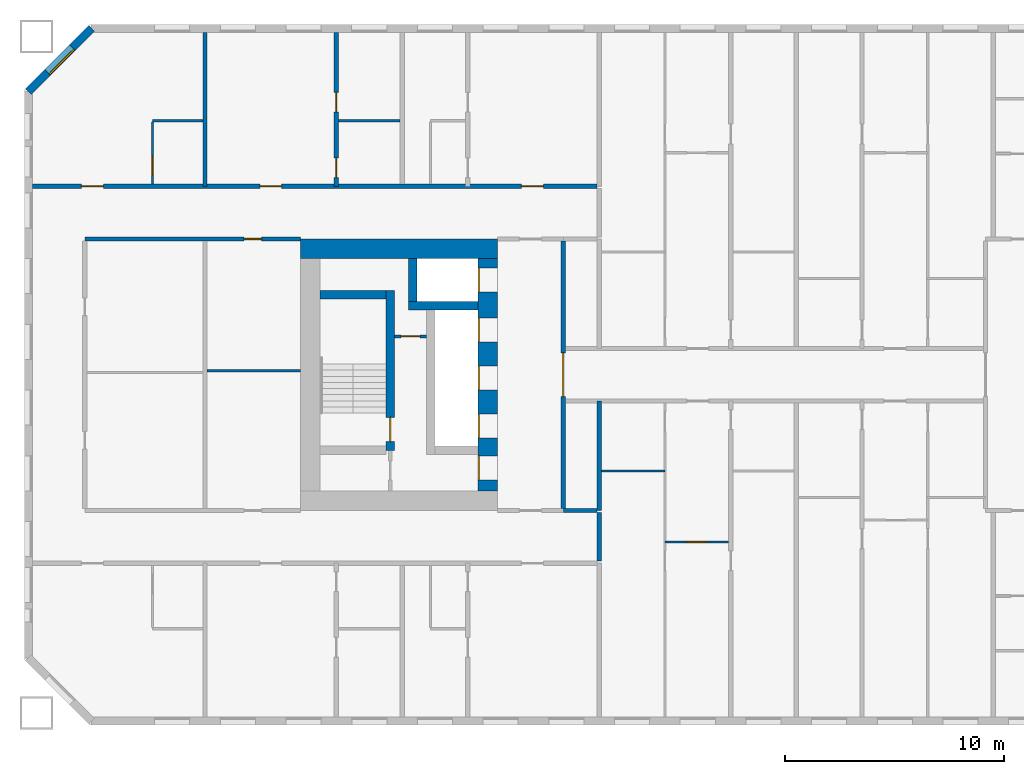
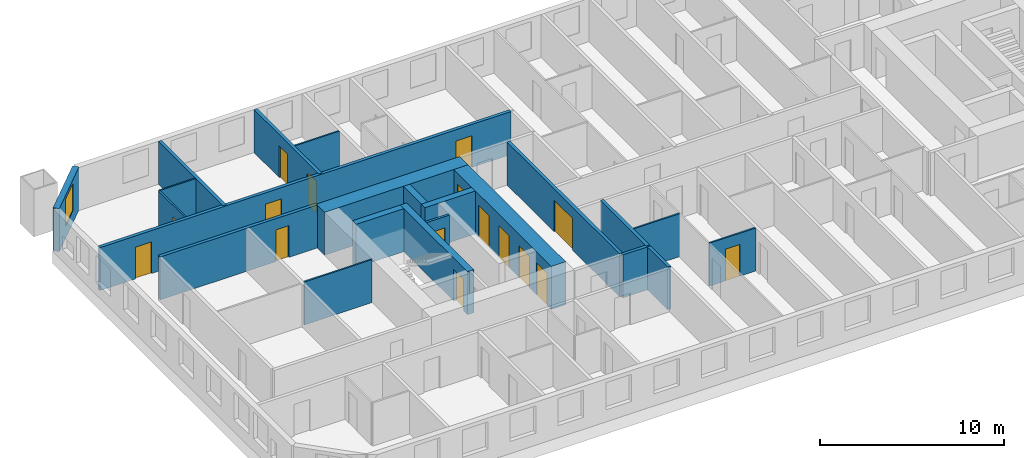
# One storey, part 4 of 16: 22 walls, 16 doors, 1 window, 17 openings.
"""IFC4 building model written with IfcOpenShell, lengths in metres."""

from ifc_helpers import new_model, si_unit, direction, frame, frame_2d, origin, place, context, subcontext, project, spatial, rectangle, extrude, material, layer, layer_set, type_object, element, fill, save


model = new_model("IFC4")

# Units and contexts
model_context = context("Model", 3, precision=1e-05, world=origin(), true_north=direction((0.0, 1.0)))
body_context = subcontext(model_context, "Body", "Model", "MODEL_VIEW")
ifc_project = project(units=[si_unit("LENGTHUNIT", "METRE"), si_unit("AREAUNIT", "SQUARE_METRE"), si_unit("VOLUMEUNIT", "CUBIC_METRE"), si_unit("PLANEANGLEUNIT", "RADIAN"), si_unit("MASSUNIT", "GRAM", prefix="KILO")], contexts=[model_context])

# Site, building, storey
site_placement = place(None, origin())
site = spatial("IfcSite", under=ifc_project, at=site_placement, CompositionType="ELEMENT")
building_placement = place(site_placement, origin())
building = spatial("IfcBuilding", under=site, at=building_placement, Name="Tuart Gate Housing", CompositionType="ELEMENT")
storey_placement = place(building_placement, frame((0.0, 0.0, 19.5)))
storey = spatial("IfcBuildingStorey", under=building, at=storey_placement, Name="L04", CompositionType="ELEMENT", Elevation=19.5)

# Wall, opening, window
ifc_material_1 = material(Name="Brick", Category="masonry")
ifc_layer_1 = layer(ifc_material_1, 0.360107421875)
ifc_layer_set_1 = layer_set([ifc_layer_1], Name="Brick pier and spandrel wall 360")
wall_type_1 = type_object("IfcWallType", Name="Brick pier and spandrel wall 360", PredefinedType="STANDARD", material=ifc_layer_set_1)
wall_1_placement = place(storey_placement, frame((22.82470703125, 85.820068359375, 0.0), z_axis=(0.0, 0.0, 1.0), x_axis=(-0.707106781187, -0.707106781187, 0.0)))
wall_1 = element("IfcWall", 1, at=wall_1_placement, inside=storey, type_object=wall_type_1, Name="External wall A-NW L04", PredefinedType="STANDARD", context=body_context, shape_type="SweptSolid", body=[
    extrude(rectangle(XDim=4.09375, YDim=0.360107421875, at=frame_2d((2.046875, 0.0))), origin(), (0.0, 0.0, 1.0), 2.85009765625),
])
opening_1_placement = place(wall_1_placement, frame((1.2470703125, 0.0, 0.800048828125)))
opening_1 = element("IfcOpeningElement", 2, at=opening_1_placement, cuts=wall_1, Name="Opening W1", PredefinedType="OPENING", context=body_context, shape_type="SweptSolid", body=[
    extrude(rectangle(XDim=1.60009765625, YDim=1.800048828125, at=frame_2d((0.800048828125, 0.89990234375))), frame((0.0, 0.18994140625, 0.0), z_axis=(0.0, -1.0, 0.0), x_axis=(1.0, 0.0, 0.0)), (0.0, 0.0, 1.0), 0.380126953125),
])
ifc_material_2 = material(Name="Aluminium frame with clear glass", Category="aluminium")
window_type = type_object("IfcWindowType", Name="Punched window 1600 x 1800", PartitioningType="SINGLE_PANEL", PredefinedType="WINDOW", material=ifc_material_2)
window_placement = place(opening_1_placement, origin())
window = element("IfcWindow", 3, at=window_placement, inside=storey, type_object=window_type, Name="Window W1", OverallHeight=1.800048828125, OverallWidth=1.60009765625, PartitioningType="SINGLE_PANEL", PredefinedType="WINDOW", context=body_context, shape_type="SweptSolid", body=[
    extrude(rectangle(XDim=1.60009765625, YDim=1.800048828125, at=frame_2d((0.800048828125, 0.89990234375))), frame((0.0, 0.150146484375, 0.0), z_axis=(0.0, -1.0, 0.0), x_axis=(1.0, 0.0, 0.0)), (0.0, 0.0, 1.0), 0.06005859375),
])
fill(opening_1, window)

# Wall, opening, door
ifc_material_3 = material(Name="Plasterboard partition")
ifc_layer_2 = layer(ifc_material_3, 0.14990234375)
ifc_layer_set_2 = layer_set([ifc_layer_2], Name="Core partition 150")
wall_type_2 = type_object("IfcWallType", Name="Core partition 150", PredefinedType="PARTITIONING", material=ifc_layer_set_2)
wall_2_placement = place(storey_placement, frame((38.110107421875, 71.75, 0.0), z_axis=(0.0, 0.0, 1.0), x_axis=(-1.0, 0.0, 0.0)))
wall_2 = element("IfcWall", 4, at=wall_2_placement, inside=storey, type_object=wall_type_2, Name="Core partition AK.3", PredefinedType="PARTITIONING", context=body_context, shape_type="SweptSolid", body=[
    extrude(rectangle(XDim=1.4501953125, YDim=0.14990234375, at=frame_2d((0.72509765625, 0.0))), origin(), (0.0, 0.0, 1.0), 2.85009765625),
])
opening_2_placement = place(wall_2_placement, frame((0.300048828125, 0.0, 0.0)))
opening_2 = element("IfcOpeningElement", 5, at=opening_2_placement, cuts=wall_2, Name="Opening D369", PredefinedType="OPENING", context=body_context, shape_type="SweptSolid", body=[
    extrude(rectangle(XDim=0.85009765625, YDim=2.10009765625, at=frame_2d((0.425048828125, 1.050048828125))), frame((0.0, 0.0849609375, 0.0), z_axis=(0.0, -1.0, 0.0), x_axis=(1.0, 0.0, 0.0)), (0.0, 0.0, 1.0), 0.169921875),
])
ifc_material_4 = material(Name="Steel fire door", Category="steel")
door_type_1 = type_object("IfcDoorType", Name="Riser door 850 x 2100 RH", OperationType="SINGLE_SWING_RIGHT", PredefinedType="DOOR", material=ifc_material_4)
door_1_placement = place(opening_2_placement, frame((0.85009765625, 0.0, 0.0), z_axis=(0.0, 0.0, 1.0), x_axis=(-1.0, 0.0, 0.0)))
door_1 = element("IfcDoor", 6, at=door_1_placement, inside=storey, type_object=door_type_1, Name="Service room door AK.E1", OperationType="SINGLE_SWING_RIGHT", OverallHeight=2.10009765625, OverallWidth=0.85009765625, PredefinedType="DOOR", context=body_context, shape_type="SweptSolid", body=[
    extrude(rectangle(XDim=0.85009765625, YDim=2.10009765625, at=frame_2d((0.425048828125, 1.050048828125))), frame((0.0, 0.025146484375, 0.0), z_axis=(0.0, -1.0, 0.0), x_axis=(1.0, 0.0, 0.0)), (0.0, 0.0, 1.0), 0.050048828125),
])
fill(opening_2, door_1)

# Walls
ifc_material_5 = material(Name="Concrete C60", Category="concrete")
ifc_layer_3 = layer(ifc_material_5, 0.39990234375)
ifc_layer_set_3 = layer_set([ifc_layer_3], Name="Core wall 400 C60")
wall_type_3 = type_object("IfcWallType", Name="Core wall 400 C60", PredefinedType="SHEAR", material=ifc_layer_set_3)
wall_3_placement = place(storey_placement, frame((36.260009765625, 73.64990234375, 0.0), z_axis=(0.0, 0.0, 1.0), x_axis=(-1.0, 0.0, 0.0)))
element("IfcWall", 7, at=wall_3_placement, inside=storey, type_object=wall_type_3, Name="Core wall AK.1", PredefinedType="SHEAR", context=body_context, shape_type="SweptSolid", body=[
    extrude(rectangle(XDim=3.0, YDim=0.39990234375, at=frame_2d((1.5, 0.0))), origin(), (0.0, 0.0, 1.0), 2.85009765625),
])
wall_4_placement = place(storey_placement, frame((40.4599609375, 73.14990234375, 0.0), z_axis=(0.0, 0.0, 1.0), x_axis=(-1.0, 0.0, 0.0)))
element("IfcWall", 8, at=wall_4_placement, inside=storey, type_object=wall_type_3, Name="Core wall AK.2", PredefinedType="SHEAR", context=body_context, shape_type="SweptSolid", body=[
    extrude(rectangle(XDim=3.169921875, YDim=0.39990234375, at=frame_2d((1.5849609375, 0.0))), origin(), (0.0, 0.0, 1.0), 2.85009765625),
])
wall_5_placement = place(storey_placement, frame((37.489990234375, 75.300048828125, 0.0), z_axis=(0.0, 0.0, 1.0), x_axis=(0.0, -1.0, 0.0)))
element("IfcWall", 9, at=wall_5_placement, inside=storey, type_object=wall_type_3, Name="Core wall AK.7", PredefinedType="SHEAR", context=body_context, shape_type="SweptSolid", body=[
    extrude(rectangle(XDim=1.949951171875, YDim=0.39990234375, at=frame_2d((0.97509765625, 0.0))), origin(), (0.0, 0.0, 1.0), 2.85009765625),
])

# Wall, opening, door
wall_6_placement = place(storey_placement, frame((36.4599609375, 73.85009765625, 0.0), z_axis=(0.0, 0.0, 1.0), x_axis=(0.0, -1.0, 0.0)))
wall_6 = element("IfcWall", 10, at=wall_6_placement, inside=storey, type_object=wall_type_3, Name="Core wall AK.8", PredefinedType="SHEAR", context=body_context, shape_type="SweptSolid", body=[
    extrude(rectangle(XDim=7.300048828125, YDim=0.39990234375, at=frame_2d((3.64990234375, 0.0))), origin(), (0.0, 0.0, 1.0), 2.85009765625),
])
opening_3_placement = place(wall_6_placement, frame((5.800048828125, 0.0, 0.0)))
opening_3 = element("IfcOpeningElement", 11, at=opening_3_placement, cuts=wall_6, Name="Opening D372", PredefinedType="OPENING", context=body_context, shape_type="SweptSolid", body=[
    extrude(rectangle(XDim=1.10009765625, YDim=2.10009765625, at=frame_2d((0.550048828125, 1.050048828125))), frame((0.0, 0.2099609375, 0.0), z_axis=(0.0, -1.0, 0.0), x_axis=(1.0, 0.0, 0.0)), (0.0, 0.0, 1.0), 0.419921875),
])
ifc_material_6 = material(Name="Steel fire door", Category="steel")
door_type_2 = type_object("IfcDoorType", Name="Stair door 1100 x 2100", OperationType="SINGLE_SWING_LEFT", PredefinedType="DOOR", material=ifc_material_6)
door_2_placement = place(opening_3_placement, frame((1.10009765625, 0.0, 0.0), z_axis=(0.0, 0.0, 1.0), x_axis=(-1.0, 0.0, 0.0)))
door_2 = element("IfcDoor", 12, at=door_2_placement, inside=storey, type_object=door_type_2, Name="Stair door AK.SD", OperationType="SINGLE_SWING_LEFT", OverallHeight=2.10009765625, OverallWidth=1.10009765625, PredefinedType="DOOR", context=body_context, shape_type="SweptSolid", body=[
    extrude(rectangle(XDim=1.10009765625, YDim=2.10009765625, at=frame_2d((0.550048828125, 1.050048828125))), frame((0.0, 0.025146484375, 0.0), z_axis=(0.0, -1.0, 0.0), x_axis=(1.0, 0.0, 0.0)), (0.0, 0.0, 1.0), 0.050048828125),
])
fill(opening_3, door_2)

# Wall, openings, doors
ifc_material_7 = material(Name="Concrete C60", Category="concrete")
ifc_layer_4 = layer(ifc_material_7, 0.89990234375)
ifc_layer_set_4 = layer_set([ifc_layer_4], Name="Core wall 900 C60")
wall_type_4 = type_object("IfcWallType", Name="Core wall 900 C60", PredefinedType="SHEAR", material=ifc_layer_set_4)
wall_7_placement = place(storey_placement, frame((40.909912109375, 75.300048828125, 0.0), z_axis=(0.0, 0.0, 1.0), x_axis=(0.0, -1.0, 0.0)))
wall_7 = element("IfcWall", 13, at=wall_7_placement, inside=storey, type_object=wall_type_4, Name="Core wall AK front", PredefinedType="SHEAR", context=body_context, shape_type="SweptSolid", body=[
    extrude(rectangle(XDim=10.60009765625, YDim=0.89990234375, at=frame_2d((5.300048828125, 0.0))), origin(), (0.0, 0.0, 1.0), 2.85009765625),
])
opening_4_placement = place(wall_7_placement, frame((0.425048828125, 0.0, 0.0)))
opening_4 = element("IfcOpeningElement", 14, at=opening_4_placement, cuts=wall_7, Name="Opening LD-FA2", PredefinedType="OPENING", context=body_context, shape_type="SweptSolid", body=[
    extrude(rectangle(XDim=1.10009765625, YDim=2.10009765625, at=frame_2d((0.550048828125, 1.050048828125))), frame((0.0, 0.4599609375, 0.0), z_axis=(0.0, -1.0, 0.0), x_axis=(1.0, 0.0, 0.0)), (0.0, 0.0, 1.0), 0.919921875),
])
opening_5_placement = place(wall_7_placement, frame((2.699951171875, 0.0, 0.0)))
opening_5 = element("IfcOpeningElement", 15, at=opening_5_placement, cuts=wall_7, Name="Opening LD-LA4", PredefinedType="OPENING", context=body_context, shape_type="SweptSolid", body=[
    extrude(rectangle(XDim=1.10009765625, YDim=2.10009765625, at=frame_2d((0.550048828125, 1.050048828125))), frame((0.0, 0.4599609375, 0.0), z_axis=(0.0, -1.0, 0.0), x_axis=(1.0, 0.0, 0.0)), (0.0, 0.0, 1.0), 0.919921875),
])
opening_6_placement = place(wall_7_placement, frame((4.89990234375, 0.0, 0.0)))
opening_6 = element("IfcOpeningElement", 16, at=opening_6_placement, cuts=wall_7, Name="Opening LD-LA5", PredefinedType="OPENING", context=body_context, shape_type="SweptSolid", body=[
    extrude(rectangle(XDim=1.10009765625, YDim=2.10009765625, at=frame_2d((0.550048828125, 1.050048828125))), frame((0.0, 0.4599609375, 0.0), z_axis=(0.0, -1.0, 0.0), x_axis=(1.0, 0.0, 0.0)), (0.0, 0.0, 1.0), 0.919921875),
])
opening_7_placement = place(wall_7_placement, frame((7.10009765625, 0.0, 0.0)))
opening_7 = element("IfcOpeningElement", 17, at=opening_7_placement, cuts=wall_7, Name="Opening LD-LA6", PredefinedType="OPENING", context=body_context, shape_type="SweptSolid", body=[
    extrude(rectangle(XDim=1.10009765625, YDim=2.10009765625, at=frame_2d((0.550048828125, 1.050048828125))), frame((0.0, 0.4599609375, 0.0), z_axis=(0.0, -1.0, 0.0), x_axis=(1.0, 0.0, 0.0)), (0.0, 0.0, 1.0), 0.919921875),
])
opening_8_placement = place(wall_7_placement, frame((9.0, 0.0, 0.0)))
opening_8 = element("IfcOpeningElement", 18, at=opening_8_placement, cuts=wall_7, Name="Opening D375", PredefinedType="OPENING", context=body_context, shape_type="SweptSolid", body=[
    extrude(rectangle(XDim=1.10009765625, YDim=2.10009765625, at=frame_2d((0.550048828125, 1.050048828125))), frame((0.0, 0.4599609375, 0.0), z_axis=(0.0, -1.0, 0.0), x_axis=(1.0, 0.0, 0.0)), (0.0, 0.0, 1.0), 0.919921875),
])
ifc_material_8 = material(Name="Stainless steel", Category="steel")
door_type_3 = type_object("IfcDoorType", Name="Landing door 1100 x 2100", OperationType="DOUBLE_DOOR_SLIDING", PredefinedType="DOOR", material=ifc_material_8)
door_3_placement = place(opening_4_placement, origin())
door_3 = element("IfcDoor", 19, at=door_3_placement, inside=storey, type_object=door_type_3, Name="Lift landing door FA2", OperationType="DOUBLE_DOOR_SLIDING", OverallHeight=2.10009765625, OverallWidth=1.10009765625, PredefinedType="DOOR", context=body_context, shape_type="SweptSolid", body=[
    extrude(rectangle(XDim=1.10009765625, YDim=2.10009765625, at=frame_2d((0.550048828125, 1.050048828125))), frame((0.0, -0.384765625, 0.0), z_axis=(0.0, -1.0, 0.0), x_axis=(1.0, 0.0, 0.0)), (0.0, 0.0, 1.0), 0.050048828125),
])
fill(opening_4, door_3)
door_4_placement = place(opening_5_placement, origin())
door_4 = element("IfcDoor", 20, at=door_4_placement, inside=storey, type_object=door_type_3, Name="Lift landing door LA4", OperationType="DOUBLE_DOOR_SLIDING", OverallHeight=2.10009765625, OverallWidth=1.10009765625, PredefinedType="DOOR", context=body_context, shape_type="SweptSolid", body=[
    extrude(rectangle(XDim=1.10009765625, YDim=2.10009765625, at=frame_2d((0.550048828125, 1.050048828125))), frame((0.0, -0.384765625, 0.0), z_axis=(0.0, -1.0, 0.0), x_axis=(1.0, 0.0, 0.0)), (0.0, 0.0, 1.0), 0.050048828125),
])
fill(opening_5, door_4)
door_5_placement = place(opening_6_placement, origin())
door_5 = element("IfcDoor", 21, at=door_5_placement, inside=storey, type_object=door_type_3, Name="Lift landing door LA5", OperationType="DOUBLE_DOOR_SLIDING", OverallHeight=2.10009765625, OverallWidth=1.10009765625, PredefinedType="DOOR", context=body_context, shape_type="SweptSolid", body=[
    extrude(rectangle(XDim=1.10009765625, YDim=2.10009765625, at=frame_2d((0.550048828125, 1.050048828125))), frame((0.0, -0.384765625, 0.0), z_axis=(0.0, -1.0, 0.0), x_axis=(1.0, 0.0, 0.0)), (0.0, 0.0, 1.0), 0.050048828125),
])
fill(opening_6, door_5)
door_6_placement = place(opening_7_placement, origin())
door_6 = element("IfcDoor", 22, at=door_6_placement, inside=storey, type_object=door_type_3, Name="Lift landing door LA6", OperationType="DOUBLE_DOOR_SLIDING", OverallHeight=2.10009765625, OverallWidth=1.10009765625, PredefinedType="DOOR", context=body_context, shape_type="SweptSolid", body=[
    extrude(rectangle(XDim=1.10009765625, YDim=2.10009765625, at=frame_2d((0.550048828125, 1.050048828125))), frame((0.0, -0.384765625, 0.0), z_axis=(0.0, -1.0, 0.0), x_axis=(1.0, 0.0, 0.0)), (0.0, 0.0, 1.0), 0.050048828125),
])
fill(opening_7, door_6)
ifc_material_9 = material(Name="Steel fire door", Category="steel")
door_type_4 = type_object("IfcDoorType", Name="Lobby door 1100 x 2100 RH", OperationType="SINGLE_SWING_RIGHT", PredefinedType="DOOR", material=ifc_material_9)
door_7_placement = place(opening_8_placement, frame((1.10009765625, 0.0, 0.0), z_axis=(0.0, 0.0, 1.0), x_axis=(-1.0, 0.0, 0.0)))
door_7 = element("IfcDoor", 23, at=door_7_placement, inside=storey, type_object=door_type_4, Name="Lobby entry door AK.EN", OperationType="SINGLE_SWING_RIGHT", OverallHeight=2.10009765625, OverallWidth=1.10009765625, PredefinedType="DOOR", context=body_context, shape_type="SweptSolid", body=[
    extrude(rectangle(XDim=1.10009765625, YDim=2.10009765625, at=frame_2d((0.550048828125, 1.050048828125))), frame((0.0, 0.434814453125, 0.0), z_axis=(0.0, -1.0, 0.0), x_axis=(1.0, 0.0, 0.0)), (0.0, 0.0, 1.0), 0.050048828125),
])
fill(opening_8, door_7)

# Walls
wall_8_placement = place(storey_placement, frame((41.360107421875, 75.75, 0.0), z_axis=(0.0, 0.0, 1.0), x_axis=(-1.0, 0.0, 0.0)))
element("IfcWall", 24, at=wall_8_placement, inside=storey, type_object=wall_type_4, Name="Core wall AK south", PredefinedType="SHEAR", context=body_context, shape_type="SweptSolid", body=[
    extrude(rectangle(XDim=9.0, YDim=0.89990234375, at=frame_2d((4.5, 0.0))), origin(), (0.0, 0.0, 1.0), 2.85009765625),
])
ifc_material_10 = material(Name="Concrete masonry 15 MPa", Category="masonry")
ifc_layer_5 = layer(ifc_material_10, 0.199951171875)
ifc_layer_set_5 = layer_set([ifc_layer_5], Name="Corridor wall masonry 200")
wall_type_5 = type_object("IfcWallType", Name="Corridor wall masonry 200", PredefinedType="PARTITIONING", material=ifc_layer_set_5)
wall_9_placement = place(storey_placement, frame((44.360107421875, 63.800048828125, 0.0), z_axis=(0.0, 0.0, 1.0), x_axis=(1.0, 0.0, 0.0)))
element("IfcWall", 25, at=wall_9_placement, inside=storey, type_object=wall_type_5, Name="Corridor wall masonry 200", PredefinedType="PARTITIONING", context=body_context, shape_type="SweptSolid", body=[
    extrude(rectangle(XDim=1.539794921875, YDim=0.199951171875, at=frame_2d((0.77001953125, 0.0))), origin(), (0.0, 0.0, 1.0), 2.85009765625),
])

# Wall, opening, door
wall_10_placement = place(storey_placement, frame((22.510009765625, 76.199951171875, 0.0), z_axis=(0.0, 0.0, 1.0), x_axis=(1.0, 0.0, 0.0)))
wall_10 = element("IfcWall", 26, at=wall_10_placement, inside=storey, type_object=wall_type_5, Name="Corridor wall masonry 200", PredefinedType="PARTITIONING", context=body_context, shape_type="SweptSolid", body=[
    extrude(rectangle(XDim=9.85009765625, YDim=0.199951171875, at=frame_2d((4.925048828125, 0.0))), origin(), (0.0, 0.0, 1.0), 2.85009765625),
])
opening_9_placement = place(wall_10_placement, frame((7.27001953125, 0.0, 0.0)))
opening_9 = element("IfcOpeningElement", 27, at=opening_9_placement, cuts=wall_10, Name="Opening D365", PredefinedType="OPENING", context=body_context, shape_type="SweptSolid", body=[
    extrude(rectangle(XDim=0.800048828125, YDim=2.10009765625, at=frame_2d((0.39990234375, 1.050048828125))), frame((0.0, 0.10986328125, 0.0), z_axis=(0.0, -1.0, 0.0), x_axis=(1.0, 0.0, 0.0)), (0.0, 0.0, 1.0), 0.219970703125),
])
ifc_material_11 = material(Name="Timber door leaf in steel frame", Category="steel")
door_type_5 = type_object("IfcDoorType", Name="Store door 800 RH", OperationType="SINGLE_SWING_RIGHT", PredefinedType="DOOR", material=ifc_material_11)
door_8_placement = place(opening_9_placement, frame((0.800048828125, 0.0, 0.0), z_axis=(0.0, 0.0, 1.0), x_axis=(-1.0, 0.0, 0.0)))
door_8 = element("IfcDoor", 28, at=door_8_placement, inside=storey, type_object=door_type_5, Name="Store door", OperationType="SINGLE_SWING_RIGHT", OverallHeight=2.10009765625, OverallWidth=0.800048828125, PredefinedType="DOOR", context=body_context, shape_type="SweptSolid", body=[
    extrude(rectangle(XDim=0.800048828125, YDim=2.10009765625, at=frame_2d((0.400146484375, 1.050048828125))), frame((0.0, 0.025146484375, 0.0), z_axis=(0.0, -1.0, 0.0), x_axis=(1.0, 0.0, 0.0)), (0.0, 0.0, 1.0), 0.050048828125),
])
fill(opening_9, door_8)

# Wall, openings, doors
wall_11_placement = place(storey_placement, frame((20.110107421875, 78.60009765625, 0.0), z_axis=(0.0, 0.0, 1.0), x_axis=(1.0, 0.0, 0.0)))
wall_11 = element("IfcWall", 29, at=wall_11_placement, inside=storey, type_object=wall_type_5, Name="Corridor wall masonry 200", PredefinedType="PARTITIONING", context=body_context, shape_type="SweptSolid", body=[
    extrude(rectangle(XDim=25.789794921875, YDim=0.199951171875, at=frame_2d((12.89501953125, 0.0))), origin(), (0.0, 0.0, 1.0), 2.85009765625),
])
opening_10_placement = place(wall_11_placement, frame((22.340087890625, 0.0, 0.0)))
opening_10 = element("IfcOpeningElement", 30, at=opening_10_placement, cuts=wall_11, Name="Opening D354", PredefinedType="OPENING", context=body_context, shape_type="SweptSolid", body=[
    extrude(rectangle(XDim=1.0, YDim=2.10009765625, at=frame_2d((0.5, 1.050048828125))), frame((0.0, 0.10986328125, 0.0), z_axis=(0.0, -1.0, 0.0), x_axis=(1.0, 0.0, 0.0)), (0.0, 0.0, 1.0), 0.219970703125),
])
opening_11_placement = place(wall_11_placement, frame((10.389892578125, 0.0, 0.0)))
opening_11 = element("IfcOpeningElement", 31, at=opening_11_placement, cuts=wall_11, Name="Opening D355", PredefinedType="OPENING", context=body_context, shape_type="SweptSolid", body=[
    extrude(rectangle(XDim=1.0, YDim=2.10009765625, at=frame_2d((0.5, 1.050048828125))), frame((0.0, 0.10986328125, 0.0), z_axis=(0.0, -1.0, 0.0), x_axis=(1.0, 0.0, 0.0)), (0.0, 0.0, 1.0), 0.219970703125),
])
opening_12_placement = place(wall_11_placement, frame((2.2451171875, 0.0, 0.0)))
opening_12 = element("IfcOpeningElement", 32, at=opening_12_placement, cuts=wall_11, Name="Opening D356", PredefinedType="OPENING", context=body_context, shape_type="SweptSolid", body=[
    extrude(rectangle(XDim=1.0, YDim=2.10009765625, at=frame_2d((0.5, 1.050048828125))), frame((0.0, 0.10986328125, 0.0), z_axis=(0.0, -1.0, 0.0), x_axis=(1.0, 0.0, 0.0)), (0.0, 0.0, 1.0), 0.219970703125),
])
ifc_material_12 = material(Name="Timber door leaf in steel frame", Category="steel")
door_type_6 = type_object("IfcDoorType", Name="Flat entrance door 1000", OperationType="SINGLE_SWING_LEFT", PredefinedType="DOOR", material=ifc_material_12)
door_9_placement = place(opening_10_placement, origin())
door_9 = element("IfcDoor", 33, at=door_9_placement, inside=storey, type_object=door_type_6, Name="Flat entrance door", OperationType="SINGLE_SWING_LEFT", OverallHeight=2.10009765625, OverallWidth=1.0, PredefinedType="DOOR", context=body_context, shape_type="SweptSolid", body=[
    extrude(rectangle(XDim=1.0, YDim=2.10009765625, at=frame_2d((0.5, 1.050048828125))), frame((0.0, 0.02490234375, 0.0), z_axis=(0.0, -1.0, 0.0), x_axis=(1.0, 0.0, 0.0)), (0.0, 0.0, 1.0), 0.050048828125),
])
fill(opening_10, door_9)
door_10_placement = place(opening_11_placement, origin())
door_10 = element("IfcDoor", 34, at=door_10_placement, inside=storey, type_object=door_type_6, Name="Flat entrance door", OperationType="SINGLE_SWING_LEFT", OverallHeight=2.10009765625, OverallWidth=1.0, PredefinedType="DOOR", context=body_context, shape_type="SweptSolid", body=[
    extrude(rectangle(XDim=1.0, YDim=2.10009765625, at=frame_2d((0.5, 1.050048828125))), frame((0.0, 0.02490234375, 0.0), z_axis=(0.0, -1.0, 0.0), x_axis=(1.0, 0.0, 0.0)), (0.0, 0.0, 1.0), 0.050048828125),
])
fill(opening_11, door_10)
door_11_placement = place(opening_12_placement, origin())
door_11 = element("IfcDoor", 35, at=door_11_placement, inside=storey, type_object=door_type_6, Name="Flat entrance door", OperationType="SINGLE_SWING_LEFT", OverallHeight=2.10009765625, OverallWidth=1.0, PredefinedType="DOOR", context=body_context, shape_type="SweptSolid", body=[
    extrude(rectangle(XDim=1.0, YDim=2.10009765625, at=frame_2d((0.5, 1.050048828125))), frame((0.0, 0.02490234375, 0.0), z_axis=(0.0, -1.0, 0.0), x_axis=(1.0, 0.0, 0.0)), (0.0, 0.0, 1.0), 0.050048828125),
])
fill(opening_12, door_11)

# Wall
wall_12_placement = place(storey_placement, frame((46.0, 61.5, 0.0), z_axis=(0.0, 0.0, 1.0), x_axis=(0.0, 1.0, 0.0)))
element("IfcWall", 36, at=wall_12_placement, inside=storey, type_object=wall_type_5, Name="Corridor wall masonry 200", PredefinedType="PARTITIONING", context=body_context, shape_type="SweptSolid", body=[
    extrude(rectangle(XDim=2.199951171875, YDim=0.199951171875, at=frame_2d((1.10009765625, 0.0))), origin(), (0.0, 0.0, 1.0), 2.85009765625),
])

# Wall, opening, door
ifc_material_13 = material(Name="Plasterboard partition")
ifc_layer_6 = layer(ifc_material_13, 0.199951171875)
ifc_layer_set_6 = layer_set([ifc_layer_6], Name="Lobby wall 200")
wall_type_6 = type_object("IfcWallType", Name="Lobby wall 200", PredefinedType="PARTITIONING", material=ifc_layer_set_6)
wall_13_placement = place(storey_placement, frame((44.360107421875, 63.89990234375, 0.0), z_axis=(0.0, 0.0, 1.0), x_axis=(0.0, 1.0, 0.0)))
wall_13 = element("IfcWall", 37, at=wall_13_placement, inside=storey, type_object=wall_type_6, Name="Lift lobby wall AK", PredefinedType="PARTITIONING", context=body_context, shape_type="SweptSolid", body=[
    extrude(rectangle(XDim=12.2001953125, YDim=0.199951171875, at=frame_2d((6.10009765625, 0.0))), origin(), (0.0, 0.0, 1.0), 2.85009765625),
])
opening_13_placement = place(wall_13_placement, frame((5.10009765625, 0.0, 0.0)))
opening_13 = element("IfcOpeningElement", 38, at=opening_13_placement, cuts=wall_13, Name="Opening D376", PredefinedType="OPENING", context=body_context, shape_type="SweptSolid", body=[
    extrude(rectangle(XDim=2.0, YDim=2.10009765625, at=frame_2d((1.0, 1.050048828125))), frame((0.0, 0.10986328125, 0.0), z_axis=(0.0, -1.0, 0.0), x_axis=(1.0, 0.0, 0.0)), (0.0, 0.0, 1.0), 0.219970703125),
])
ifc_material_14 = material(Name="Steel fire door", Category="steel")
door_type_7 = type_object("IfcDoorType", Name="Smoke door 2000 x 2100", OperationType="DOUBLE_DOOR_SINGLE_SWING", PredefinedType="DOOR", material=ifc_material_14)
door_12_placement = place(opening_13_placement, origin())
door_12 = element("IfcDoor", 39, at=door_12_placement, inside=storey, type_object=door_type_7, Name="Lift lobby smoke door AK", OperationType="DOUBLE_DOOR_SINGLE_SWING", OverallHeight=2.10009765625, OverallWidth=2.0, PredefinedType="DOOR", context=body_context, shape_type="SweptSolid", body=[
    extrude(rectangle(XDim=2.0, YDim=2.10009765625, at=frame_2d((1.0, 1.050048828125))), frame((0.0, 0.02490234375, 0.0), z_axis=(0.0, -1.0, 0.0), x_axis=(1.0, 0.0, 0.0)), (0.0, 0.0, 1.0), 0.050048828125),
])
fill(opening_13, door_12)

ifc_material_15 = material(Name="Gypsum board on steel studs", Category="steel")
ifc_layer_7 = layer(ifc_material_15, 0.10009765625)
ifc_layer_set_7 = layer_set([ifc_layer_7], Name="Partition 100")
wall_type_7 = type_object("IfcWallType", Name="Partition 100", PredefinedType="PARTITIONING", material=ifc_layer_set_7)
wall_14_placement = place(storey_placement, frame((49.0, 62.360107421875, 0.0), z_axis=(0.0, 0.0, 1.0), x_axis=(1.0, 0.0, 0.0)))
wall_14 = element("IfcWall", 40, at=wall_14_placement, inside=storey, type_object=wall_type_7, Name="Partition 100", PredefinedType="PARTITIONING", context=body_context, shape_type="SweptSolid", body=[
    extrude(rectangle(XDim=2.89990234375, YDim=0.10009765625, at=frame_2d((1.449951171875, 0.0))), origin(), (0.0, 0.0, 1.0), 2.85009765625),
])
opening_14_placement = place(wall_14_placement, frame((1.0, 0.0, 0.0)))
opening_14 = element("IfcOpeningElement", 41, at=opening_14_placement, cuts=wall_14, Name="Opening D388", PredefinedType="OPENING", context=body_context, shape_type="SweptSolid", body=[
    extrude(rectangle(XDim=0.89990234375, YDim=2.10009765625, at=frame_2d((0.449951171875, 1.050048828125))), frame((0.0, 0.06005859375, 0.0), z_axis=(0.0, -1.0, 0.0), x_axis=(1.0, 0.0, 0.0)), (0.0, 0.0, 1.0), 0.1201171875),
])
ifc_material_16 = material(Name="Timber door leaf in steel frame", Category="steel")
door_type_8 = type_object("IfcDoorType", Name="Internal door 900", OperationType="SINGLE_SWING_LEFT", PredefinedType="DOOR", material=ifc_material_16)
door_13_placement = place(opening_14_placement, origin())
door_13 = element("IfcDoor", 42, at=door_13_placement, inside=storey, type_object=door_type_8, Name="Internal door", OperationType="SINGLE_SWING_LEFT", OverallHeight=2.10009765625, OverallWidth=0.89990234375, PredefinedType="DOOR", context=body_context, shape_type="SweptSolid", body=[
    extrude(rectangle(XDim=0.89990234375, YDim=2.10009765625, at=frame_2d((0.449951171875, 1.050048828125))), frame((0.0, 0.02490234375, 0.0), z_axis=(0.0, -1.0, 0.0), x_axis=(1.0, 0.0, 0.0)), (0.0, 0.0, 1.0), 0.050048828125),
])
fill(opening_14, door_13)

# Walls
wall_15_placement = place(storey_placement, frame((46.10009765625, 65.60009765625, 0.0), z_axis=(0.0, 0.0, 1.0), x_axis=(1.0, 0.0, 0.0)))
element("IfcWall", 43, at=wall_15_placement, inside=storey, type_object=wall_type_7, Name="Partition 100", PredefinedType="PARTITIONING", context=body_context, shape_type="SweptSolid", body=[
    extrude(rectangle(XDim=2.89990234375, YDim=0.10009765625, at=frame_2d((1.449951171875, 0.0))), origin(), (0.0, 0.0, 1.0), 2.85009765625),
])
wall_16_placement = place(storey_placement, frame((28.10009765625, 70.179931640625, 0.0), z_axis=(0.0, 0.0, 1.0), x_axis=(1.0, 0.0, 0.0)))
element("IfcWall", 44, at=wall_16_placement, inside=storey, type_object=wall_type_7, Name="Partition 100", PredefinedType="PARTITIONING", context=body_context, shape_type="SweptSolid", body=[
    extrude(rectangle(XDim=4.260009765625, YDim=0.10009765625, at=frame_2d((2.1298828125, 0.0))), origin(), (0.0, 0.0, 1.0), 2.85009765625),
])
wall_17_placement = place(storey_placement, frame((25.60009765625, 81.60009765625, 0.0), z_axis=(0.0, 0.0, 1.0), x_axis=(1.0, 0.0, 0.0)))
element("IfcWall", 45, at=wall_17_placement, inside=storey, type_object=wall_type_7, Name="Partition 100", PredefinedType="PARTITIONING", context=body_context, shape_type="SweptSolid", body=[
    extrude(rectangle(XDim=2.2998046875, YDim=0.10009765625, at=frame_2d((1.14990234375, 0.0))), origin(), (0.0, 0.0, 1.0), 2.85009765625),
])
wall_18_placement = place(storey_placement, frame((34.10009765625, 81.60009765625, 0.0), z_axis=(0.0, 0.0, 1.0), x_axis=(1.0, 0.0, 0.0)))
element("IfcWall", 46, at=wall_18_placement, inside=storey, type_object=wall_type_7, Name="Partition 100", PredefinedType="PARTITIONING", context=body_context, shape_type="SweptSolid", body=[
    extrude(rectangle(XDim=2.7998046875, YDim=0.10009765625, at=frame_2d((1.39990234375, 0.0))), origin(), (0.0, 0.0, 1.0), 2.85009765625),
])

# Wall, opening, door
wall_19_placement = place(storey_placement, frame((25.60009765625, 78.699951171875, 0.0), z_axis=(0.0, 0.0, 1.0), x_axis=(0.0, 1.0, 0.0)))
wall_19 = element("IfcWall", 47, at=wall_19_placement, inside=storey, type_object=wall_type_7, Name="Partition 100", PredefinedType="PARTITIONING", context=body_context, shape_type="SweptSolid", body=[
    extrude(rectangle(XDim=2.85009765625, YDim=0.10009765625, at=frame_2d((1.425048828125, 0.0))), origin(), (0.0, 0.0, 1.0), 2.85009765625),
])
opening_15_placement = place(wall_19_placement, frame((0.39990234375, 0.0, 0.0)))
opening_15 = element("IfcOpeningElement", 48, at=opening_15_placement, cuts=wall_19, Name="Opening D351", PredefinedType="OPENING", context=body_context, shape_type="SweptSolid", body=[
    extrude(rectangle(XDim=0.89990234375, YDim=2.10009765625, at=frame_2d((0.449951171875, 1.050048828125))), frame((0.0, 0.06005859375, 0.0), z_axis=(0.0, -1.0, 0.0), x_axis=(1.0, 0.0, 0.0)), (0.0, 0.0, 1.0), 0.1201171875),
])
ifc_material_17 = material(Name="Timber door leaf in steel frame", Category="steel")
door_type_9 = type_object("IfcDoorType", Name="Bathroom door 900 RH", OperationType="SINGLE_SWING_RIGHT", PredefinedType="DOOR", material=ifc_material_17)
door_14_placement = place(opening_15_placement, frame((0.89990234375, 0.0, 0.0), z_axis=(0.0, 0.0, 1.0), x_axis=(-1.0, 0.0, 0.0)))
door_14 = element("IfcDoor", 49, at=door_14_placement, inside=storey, type_object=door_type_9, Name="Bathroom door", OperationType="SINGLE_SWING_RIGHT", OverallHeight=2.10009765625, OverallWidth=0.89990234375, PredefinedType="DOOR", context=body_context, shape_type="SweptSolid", body=[
    extrude(rectangle(XDim=0.89990234375, YDim=2.10009765625, at=frame_2d((0.449951171875, 1.050048828125))), frame((0.0, 0.025146484375, 0.0), z_axis=(0.0, -1.0, 0.0), x_axis=(1.0, 0.0, 0.0)), (0.0, 0.0, 1.0), 0.050048828125),
])
fill(opening_15, door_14)

# Wall
ifc_material_18 = material(Name="Concrete C40", Category="concrete")
ifc_layer_8 = layer(ifc_material_18, 0.199951171875)
ifc_layer_set_8 = layer_set([ifc_layer_8], Name="Party wall concrete C40 200")
wall_type_8 = type_object("IfcWallType", Name="Party wall concrete C40 200", PredefinedType="SOLIDWALL", material=ifc_layer_set_8)
wall_20_placement = place(storey_placement, frame((28.0, 78.60009765625, 0.0), z_axis=(0.0, 0.0, 1.0), x_axis=(0.0, 1.0, 0.0)))
element("IfcWall", 50, at=wall_20_placement, inside=storey, type_object=wall_type_8, Name="Party wall concrete C40 200", PredefinedType="SOLIDWALL", context=body_context, shape_type="SweptSolid", body=[
    extrude(rectangle(XDim=7.039794921875, YDim=0.199951171875, at=frame_2d((3.52001953125, 0.0))), origin(), (0.0, 0.0, 1.0), 2.85009765625),
])

# Wall, openings, doors
wall_21_placement = place(storey_placement, frame((34.0, 78.60009765625, 0.0), z_axis=(0.0, 0.0, 1.0), x_axis=(0.0, 1.0, 0.0)))
wall_21 = element("IfcWall", 51, at=wall_21_placement, inside=storey, type_object=wall_type_8, Name="Party wall concrete C40 200", PredefinedType="SOLIDWALL", context=body_context, shape_type="SweptSolid", body=[
    extrude(rectangle(XDim=7.039794921875, YDim=0.199951171875, at=frame_2d((3.52001953125, 0.0))), origin(), (0.0, 0.0, 1.0), 2.85009765625),
])
opening_16_placement = place(wall_21_placement, frame((3.39990234375, 0.0, 0.0)))
opening_16 = element("IfcOpeningElement", 52, at=opening_16_placement, cuts=wall_21, Name="Opening D344", PredefinedType="OPENING", context=body_context, shape_type="SweptSolid", body=[
    extrude(rectangle(XDim=0.89990234375, YDim=2.10009765625, at=frame_2d((0.449951171875, 1.050048828125))), frame((0.0, 0.10986328125, 0.0), z_axis=(0.0, -1.0, 0.0), x_axis=(1.0, 0.0, 0.0)), (0.0, 0.0, 1.0), 0.219970703125),
])
opening_17_placement = place(wall_21_placement, frame((0.39990234375, 0.0, 0.0)))
opening_17 = element("IfcOpeningElement", 53, at=opening_17_placement, cuts=wall_21, Name="Opening D343", PredefinedType="OPENING", context=body_context, shape_type="SweptSolid", body=[
    extrude(rectangle(XDim=0.89990234375, YDim=2.10009765625, at=frame_2d((0.449951171875, 1.050048828125))), frame((0.0, 0.10986328125, 0.0), z_axis=(0.0, -1.0, 0.0), x_axis=(1.0, 0.0, 0.0)), (0.0, 0.0, 1.0), 0.219970703125),
])
door_15_placement = place(opening_17_placement, frame((0.89990234375, 0.0, 0.0), z_axis=(0.0, 0.0, 1.0), x_axis=(-1.0, 0.0, 0.0)))
door_15 = element("IfcDoor", 54, at=door_15_placement, inside=storey, type_object=door_type_9, Name="Bathroom door", OperationType="SINGLE_SWING_RIGHT", OverallHeight=2.10009765625, OverallWidth=0.89990234375, PredefinedType="DOOR", context=body_context, shape_type="SweptSolid", body=[
    extrude(rectangle(XDim=0.89990234375, YDim=2.10009765625, at=frame_2d((0.449951171875, 1.050048828125))), frame((0.0, 0.025146484375, 0.0), z_axis=(0.0, -1.0, 0.0), x_axis=(1.0, 0.0, 0.0)), (0.0, 0.0, 1.0), 0.050048828125),
])
fill(opening_17, door_15)
ifc_material_19 = material(Name="Timber door leaf in steel frame", Category="steel")
door_type_10 = type_object("IfcDoorType", Name="Internal door 900 RH", OperationType="SINGLE_SWING_RIGHT", PredefinedType="DOOR", material=ifc_material_19)
door_16_placement = place(opening_16_placement, frame((0.89990234375, 0.0, 0.0), z_axis=(0.0, 0.0, 1.0), x_axis=(-1.0, 0.0, 0.0)))
door_16 = element("IfcDoor", 55, at=door_16_placement, inside=storey, type_object=door_type_10, Name="Internal door", OperationType="SINGLE_SWING_RIGHT", OverallHeight=2.10009765625, OverallWidth=0.89990234375, PredefinedType="DOOR", context=body_context, shape_type="SweptSolid", body=[
    extrude(rectangle(XDim=0.89990234375, YDim=2.10009765625, at=frame_2d((0.449951171875, 1.050048828125))), frame((0.0, 0.025146484375, 0.0), z_axis=(0.0, -1.0, 0.0), x_axis=(1.0, 0.0, 0.0)), (0.0, 0.0, 1.0), 0.050048828125),
])
fill(opening_16, door_16)

# Wall
wall_22_placement = place(storey_placement, frame((46.0, 63.800048828125, 0.0), z_axis=(0.0, 0.0, 1.0), x_axis=(0.0, 1.0, 0.0)))
element("IfcWall", 56, at=wall_22_placement, inside=storey, type_object=wall_type_8, Name="Party wall concrete C40 200", PredefinedType="SOLIDWALL", context=body_context, shape_type="SweptSolid", body=[
    extrude(rectangle(XDim=5.0, YDim=0.199951171875, at=frame_2d((2.5, 0.0))), origin(), (0.0, 0.0, 1.0), 2.85009765625),
])

save(model, "model.ifc")
